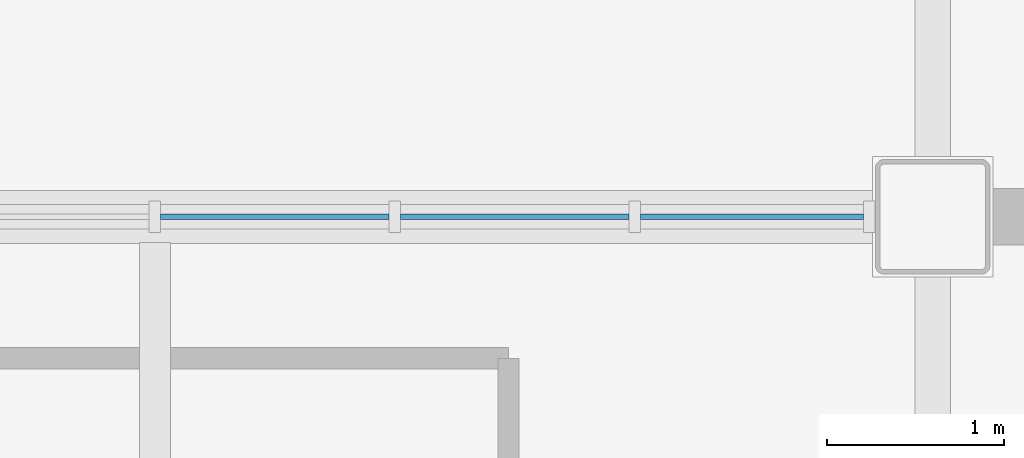
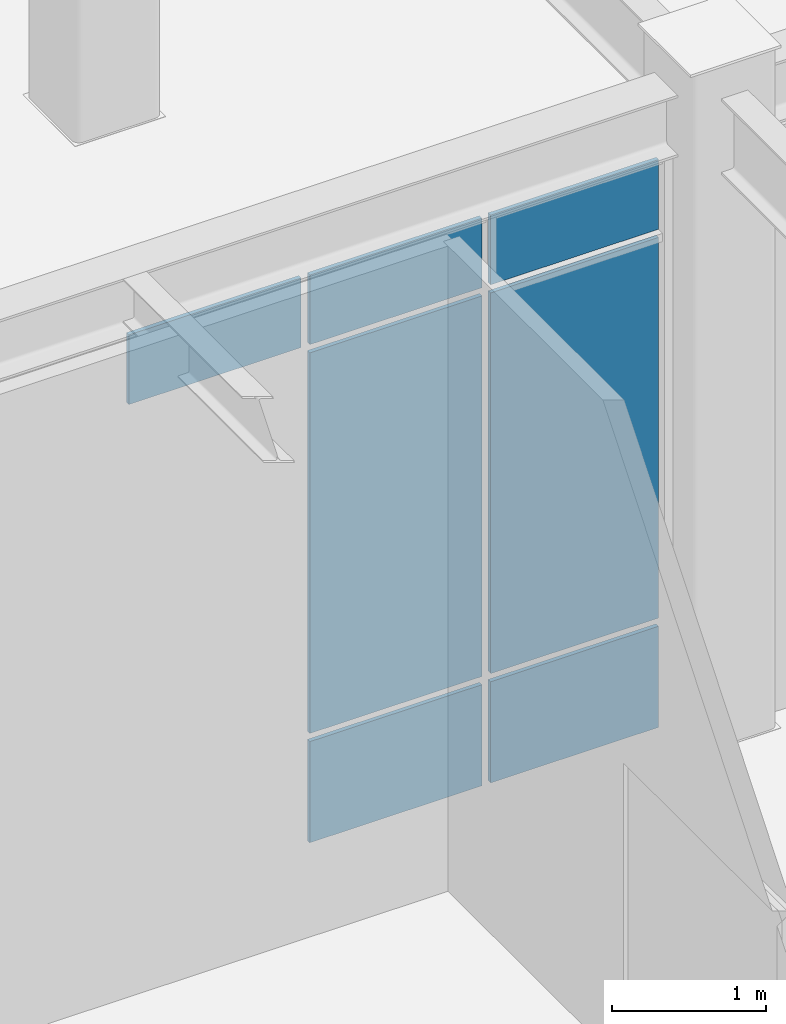
# One storey, part 54 of 119: 7 plates, 1 element without a shape of its own.
"""IFC4 building model written with IfcOpenShell, lengths in metres."""

from ifc_helpers import new_model, si_unit, direction, frame, origin, origin_2d, place, context, subcontext, project, spatial, rectangle, extrude, material, layer, layer_set, type_object, element, aggregate, save


model = new_model("IFC4")

# Units and contexts
model_context = context("Model", 3, precision=1e-05, world=origin(), true_north=direction((0.0, 1.0)))
body_context = subcontext(model_context, "Body", "Model", "MODEL_VIEW")
ifc_project = project(units=[si_unit("LENGTHUNIT", "METRE"), si_unit("AREAUNIT", "SQUARE_METRE"), si_unit("VOLUMEUNIT", "CUBIC_METRE"), si_unit("PLANEANGLEUNIT", "RADIAN"), si_unit("MASSUNIT", "GRAM", prefix="KILO")], contexts=[model_context])

# Site, building, storey
site_placement = place(None, origin())
site = spatial("IfcSite", under=ifc_project, at=site_placement, CompositionType="ELEMENT")
building_placement = place(site_placement, origin())
building = spatial("IfcBuilding", under=site, at=building_placement, Name="Zhaolan Boulevard Law Courts", CompositionType="ELEMENT")
storey_placement = place(building_placement, origin())
storey = spatial("IfcBuildingStorey", under=building, at=storey_placement, Name="L00", CompositionType="ELEMENT", Elevation=0.0)

# Curtain wall, plates
ifc_material_1 = material(Name="Thermally broken aluminium and low-E glazing", Category="aluminium")
curtain_wall_type = type_object("IfcCurtainWallType", Name="CURTAIN WALL M4", PredefinedType="USERDEFINED", material=ifc_material_1)
curtain_wall_placement = place(storey_placement, origin())
curtain_wall = element("IfcCurtainWall", 1, at=curtain_wall_placement, inside=storey, type_object=curtain_wall_type, Name="Curtain Wall CW-L00-004", ObjectType="CURTAIN WALL", PredefinedType="USERDEFINED")
ifc_material_2 = material(Name="Acoustic laminated low-E glazing", Category="glass")
ifc_layer = layer(ifc_material_2, 0.031982421875)
ifc_layer_set = layer_set([ifc_layer])
plate_type = type_object("IfcPlateType", Name="CWPANEL LOW E32", PredefinedType="CURTAIN_PANEL", material=ifc_layer_set)
plate_1_placement = place(storey_placement, frame((34.177978515625, 30.0, 0.06494140625), z_axis=(0.0, 0.0, 1.0), x_axis=(-1.0, 0.0, 0.0)))
plate_1 = element("IfcPlate", 2, at=plate_1_placement, type_object=plate_type, Name="CW-L00-004 panel 1.1", PredefinedType="CURTAIN_PANEL", context=body_context, shape_type="SweptSolid", body=[
    extrude(rectangle(XDim=1.26025390625, YDim=0.031982421875, at=origin_2d()), origin(), (0.0, 0.0, 1.0), 0.802490234375),
])
plate_2_placement = place(storey_placement, frame((34.177978515625, 30.0, 0.932373046875), z_axis=(0.0, 0.0, 1.0), x_axis=(-1.0, 0.0, 0.0)))
plate_2 = element("IfcPlate", 3, at=plate_2_placement, type_object=plate_type, Name="CW-L00-004 panel 1.2", PredefinedType="CURTAIN_PANEL", context=body_context, shape_type="SweptSolid", body=[
    extrude(rectangle(XDim=1.26025390625, YDim=0.031982421875, at=origin_2d()), origin(), (0.0, 0.0, 1.0), 3.02001953125),
])
plate_3_placement = place(storey_placement, frame((34.177978515625, 30.0, 4.017578125), z_axis=(0.0, 0.0, 1.0), x_axis=(-1.0, 0.0, 0.0)))
plate_3 = element("IfcPlate", 4, at=plate_3_placement, type_object=plate_type, Name="CW-L00-004 panel 1.3", PredefinedType="CURTAIN_PANEL", context=body_context, shape_type="SweptSolid", body=[
    extrude(rectangle(XDim=1.26025390625, YDim=0.031982421875, at=origin_2d()), origin(), (0.0, 0.0, 1.0), 0.552490234375),
])
plate_4_placement = place(storey_placement, frame((32.83642578125, 30.0, 0.06494140625), z_axis=(0.0, 0.0, 1.0), x_axis=(-1.0, 0.0, 0.0)))
plate_4 = element("IfcPlate", 5, at=plate_4_placement, type_object=plate_type, Name="CW-L00-004 panel 2.1", PredefinedType="CURTAIN_PANEL", context=body_context, shape_type="SweptSolid", body=[
    extrude(rectangle(XDim=1.292724609375, YDim=0.031982421875, at=origin_2d()), origin(), (0.0, 0.0, 1.0), 0.802490234375),
])
plate_5_placement = place(storey_placement, frame((32.83642578125, 30.0, 0.932373046875), z_axis=(0.0, 0.0, 1.0), x_axis=(-1.0, 0.0, 0.0)))
plate_5 = element("IfcPlate", 6, at=plate_5_placement, type_object=plate_type, Name="CW-L00-004 panel 2.2", PredefinedType="CURTAIN_PANEL", context=body_context, shape_type="SweptSolid", body=[
    extrude(rectangle(XDim=1.292724609375, YDim=0.031982421875, at=origin_2d()), origin(), (0.0, 0.0, 1.0), 3.02001953125),
])
plate_6_placement = place(storey_placement, frame((32.83642578125, 30.0, 4.017578125), z_axis=(0.0, 0.0, 1.0), x_axis=(-1.0, 0.0, 0.0)))
plate_6 = element("IfcPlate", 7, at=plate_6_placement, type_object=plate_type, Name="CW-L00-004 panel 2.3", PredefinedType="CURTAIN_PANEL", context=body_context, shape_type="SweptSolid", body=[
    extrude(rectangle(XDim=1.292724609375, YDim=0.031982421875, at=origin_2d()), origin(), (0.0, 0.0, 1.0), 0.552490234375),
])
plate_7_placement = place(storey_placement, frame((31.478759765625, 30.0, 4.017578125), z_axis=(0.0, 0.0, 1.0), x_axis=(-1.0, 0.0, 0.0)))
plate_7 = element("IfcPlate", 8, at=plate_7_placement, type_object=plate_type, Name="CW-L00-004 panel 3.3", PredefinedType="CURTAIN_PANEL", context=body_context, shape_type="SweptSolid", body=[
    extrude(rectangle(XDim=1.292724609375, YDim=0.031982421875, at=origin_2d()), origin(), (0.0, 0.0, 1.0), 0.552490234375),
])
aggregate(curtain_wall, [plate_1, plate_2, plate_3, plate_4, plate_5, plate_6, plate_7])

save(model, "model.ifc")
